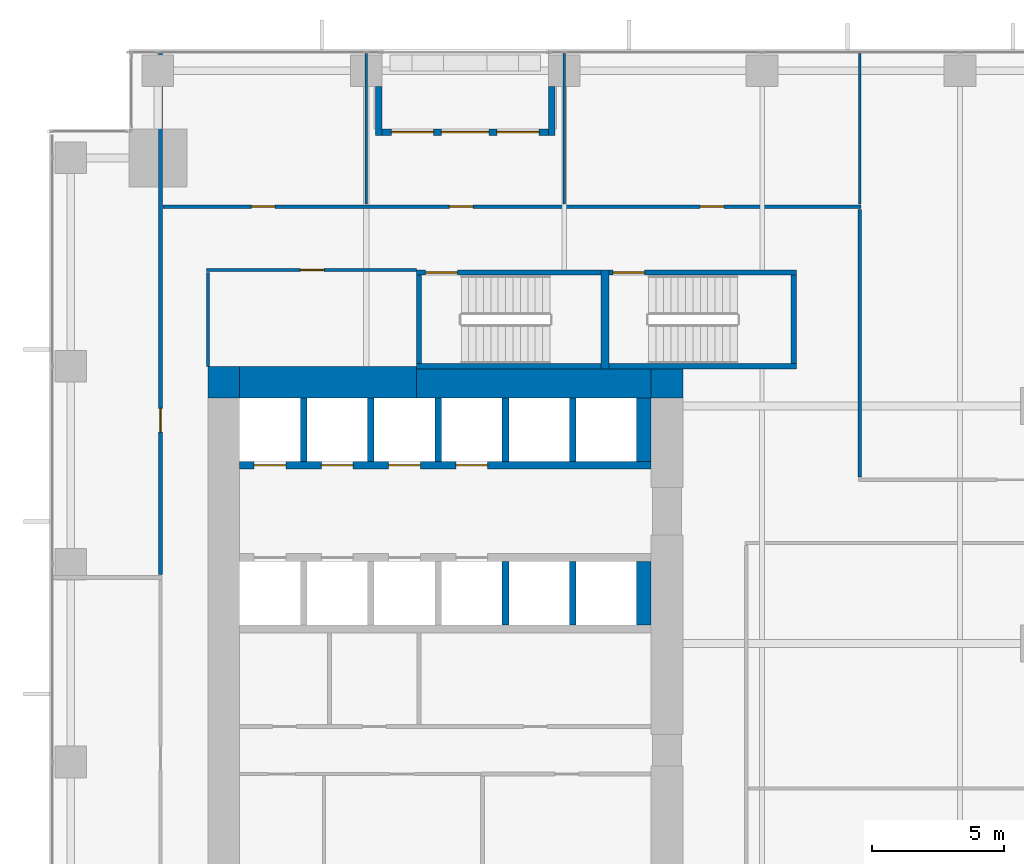
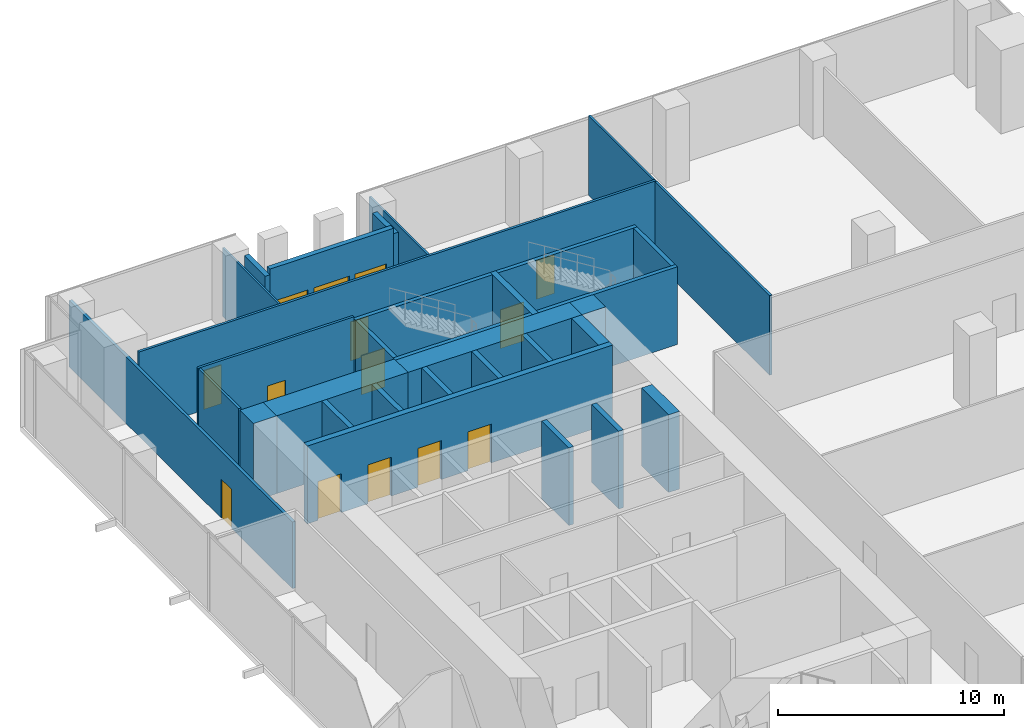
# One storey, part 28 of 32: 32 walls, 12 doors, 2 windows, 14 openings.
"""IFC4 building model written with IfcOpenShell, lengths in metres."""

from ifc_helpers import new_model, si_unit, direction, frame, frame_2d, origin, place, context, subcontext, project, spatial, rectangle, extrude, source, transform, mapped, material, layer, layer_set, type_object, element, fill, save


model = new_model("IFC4")

# Units and contexts
model_context = context("Model", 3, precision=1e-05, world=origin(), true_north=direction((0.0, 1.0)))
body_context = subcontext(model_context, "Body", "Model", "MODEL_VIEW")
ifc_project = project(units=[si_unit("LENGTHUNIT", "METRE"), si_unit("AREAUNIT", "SQUARE_METRE"), si_unit("VOLUMEUNIT", "CUBIC_METRE"), si_unit("PLANEANGLEUNIT", "RADIAN"), si_unit("MASSUNIT", "GRAM", prefix="KILO")], contexts=[model_context])

# Site, building, storey
site_placement = place(None, origin())
site = spatial("IfcSite", under=ifc_project, at=site_placement, CompositionType="ELEMENT")
building_placement = place(site_placement, origin())
building = spatial("IfcBuilding", under=site, at=building_placement, Name="Khomas Fold Tower", CompositionType="ELEMENT")
storey_placement = place(building_placement, frame((0.0, 0.0, 37.5)))
storey = spatial("IfcBuildingStorey", under=building, at=storey_placement, Name="L07", CompositionType="ELEMENT", Elevation=37.5)

# Walls
ifc_material_1 = material(Name="Concrete C70/85", Category="concrete")
ifc_layer_1 = layer(ifc_material_1, 1.199951171875)
ifc_layer_set_1 = layer_set([ifc_layer_1], Name="Concrete C70/85")
wall_type_1 = type_object("IfcWallType", Name="Core wall 1200", PredefinedType="SHEAR", material=ifc_layer_set_1)
shared_shape_1 = source(origin(), body_context, "Body", "SweptSolid", [
    extrude(rectangle(XDim=6.699951171875, YDim=1.199951171875, at=frame_2d((3.35009765625, 0.0))), origin(), (0.0, 0.0, 1.0), 4.199951171875),
])
wall_1_placement = place(storey_placement, frame((7.199951171875, 41.39990234375, 0.0), z_axis=(0.0, 0.0, 1.0), x_axis=(1.0, 0.0, 0.0)))
element("IfcWall", 1, at=wall_1_placement, inside=storey, type_object=wall_type_1, Name="Core wall CW-L-N-B2", PredefinedType="SHEAR", context=body_context, shape_type="MappedRepresentation", body=[
    mapped(shared_shape_1, transform((0.0, 0.0, 0.0))),
])
ifc_material_2 = material(Name="Concrete C70/85", Category="concrete")
ifc_layer_2 = layer(ifc_material_2, 1.10009765625)
ifc_layer_set_2 = layer_set([ifc_layer_2], Name="Concrete C70/85")
wall_type_2 = type_object("IfcWallType", Name="Core wall 1100", PredefinedType="SHEAR", material=ifc_layer_set_2)
shared_shape_2 = source(origin(), body_context, "Body", "SweptSolid", [
    extrude(rectangle(XDim=8.900146484375, YDim=1.10009765625, at=frame_2d((4.4501953125, 0.0))), origin(), (0.0, 0.0, 1.0), 4.199951171875),
])
wall_2_placement = place(storey_placement, frame((13.89990234375, 41.35009765625, 0.0), z_axis=(0.0, 0.0, 1.0), x_axis=(1.0, 0.0, 0.0)))
element("IfcWall", 2, at=wall_2_placement, inside=storey, type_object=wall_type_2, Name="Core wall CW-L-N-B2-1", PredefinedType="SHEAR", context=body_context, shape_type="MappedRepresentation", body=[
    mapped(shared_shape_2, transform((0.0, 0.0, 0.0))),
])
ifc_material_3 = material(Name="Concrete C70/85", Category="concrete")
ifc_layer_3 = layer(ifc_material_3, 1.10009765625)
ifc_layer_set_3 = layer_set([ifc_layer_3], Name="Concrete C70/85")
wall_type_3 = type_object("IfcWallType", Name="Core corner wall 1100", PredefinedType="SHEAR", material=ifc_layer_set_3)
shared_shape_3 = source(origin(), body_context, "Body", "SweptSolid", [
    extrude(rectangle(XDim=1.199951171875, YDim=1.10009765625, at=frame_2d((0.60009765625, 0.0))), origin(), (0.0, 0.0, 1.0), 4.199951171875),
])
wall_3_placement = place(storey_placement, frame((22.800048828125, 41.35009765625, 0.0), z_axis=(0.0, 0.0, 1.0), x_axis=(1.0, 0.0, 0.0)))
element("IfcWall", 3, at=wall_3_placement, inside=storey, type_object=wall_type_3, Name="Core wall CW-L-NE-B2", PredefinedType="SHEAR", context=body_context, shape_type="MappedRepresentation", body=[
    mapped(shared_shape_3, transform((0.0, 0.0, 0.0))),
])
ifc_material_4 = material(Name="Concrete C70/85", Category="concrete")
ifc_layer_4 = layer(ifc_material_4, 1.199951171875)
ifc_layer_set_4 = layer_set([ifc_layer_4], Name="Concrete C70/85")
wall_type_4 = type_object("IfcWallType", Name="Core corner wall 1200", PredefinedType="SHEAR", material=ifc_layer_set_4)
shared_shape_4 = source(origin(), body_context, "Body", "SweptSolid", [
    extrude(rectangle(XDim=1.199951171875, YDim=1.199951171875, at=frame_2d((0.60009765625, 0.0))), origin(), (0.0, 0.0, 1.0), 4.199951171875),
])
wall_4_placement = place(storey_placement, frame((6.0, 41.39990234375, 0.0), z_axis=(0.0, 0.0, 1.0), x_axis=(1.0, 0.0, 0.0)))
element("IfcWall", 4, at=wall_4_placement, inside=storey, type_object=wall_type_4, Name="Core wall CW-L-NW-B2", PredefinedType="SHEAR", context=body_context, shape_type="MappedRepresentation", body=[
    mapped(shared_shape_4, transform((0.0, 0.0, 0.0))),
])

# Wall, opening, door
ifc_material_5 = material(Name="Concrete C50/60", Category="concrete")
ifc_layer_5 = layer(ifc_material_5, 0.199951171875)
ifc_layer_set_5 = layer_set([ifc_layer_5], Name="Concrete C50/60")
wall_type_5 = type_object("IfcWallType", Name="Stair wall 200", PredefinedType="SHEAR", material=ifc_layer_set_5)
shared_shape_5 = source(origin(), body_context, "Body", "SweptSolid", [
    extrude(rectangle(XDim=7.0, YDim=0.199951171875, at=frame_2d((3.5, 0.0))), origin(), (0.0, 0.0, 1.0), 4.199951171875),
])
wall_5_placement = place(storey_placement, frame((13.89990234375, 45.550048828125, 0.0), z_axis=(0.0, 0.0, 1.0), x_axis=(1.0, 0.0, 0.0)))
wall_5 = element("IfcWall", 5, at=wall_5_placement, inside=storey, type_object=wall_type_5, Name="Stair wall SW-ST1-N", PredefinedType="SHEAR", context=body_context, shape_type="MappedRepresentation", body=[
    mapped(shared_shape_5, transform((0.0, 0.0, 0.0))),
])
shared_shape_6 = source(origin(), body_context, "Body", "SweptSolid", [
    extrude(rectangle(XDim=1.199951171875, YDim=2.10009765625, at=frame_2d((0.60009765625, 1.050048828125))), frame((0.0, 0.10986328125, 0.0), z_axis=(0.0, -1.0, 0.0), x_axis=(1.0, 0.0, 0.0)), (0.0, 0.0, 1.0), 0.219970703125),
])
opening_1_placement = place(wall_5_placement, frame((0.35009765625, 0.0, 0.0)))
opening_1 = element("IfcOpeningElement", 6, at=opening_1_placement, cuts=wall_5, Name="Opening SD-ST1", PredefinedType="OPENING", context=body_context, shape_type="MappedRepresentation", body=[
    mapped(shared_shape_6, transform((0.0, 0.0, 0.0))),
])
ifc_material_6 = material(Name="Steel door leaf", Category="steel")
door_type_1 = type_object("IfcDoorType", Name="Stair door 1200x2100 left-hand", OperationType="SINGLE_SWING_LEFT", PredefinedType="DOOR", material=ifc_material_6)
shared_shape_7 = source(origin(), body_context, "Body", "SweptSolid", [
    extrude(rectangle(XDim=1.199951171875, YDim=2.10009765625, at=frame_2d((0.60009765625, 1.050048828125))), frame((0.0, 0.02490234375, 0.0), z_axis=(0.0, -1.0, 0.0), x_axis=(1.0, 0.0, 0.0)), (0.0, 0.0, 1.0), 0.050048828125),
])
door_1_placement = place(opening_1_placement, origin())
door_1 = element("IfcDoor", 7, at=door_1_placement, inside=storey, type_object=door_type_1, Name="Stair door", OperationType="SINGLE_SWING_LEFT", OverallHeight=2.10009765625, OverallWidth=1.199951171875, PredefinedType="DOOR", context=body_context, shape_type="MappedRepresentation", body=[
    mapped(shared_shape_7, transform((0.0, 0.0, 0.0))),
])
fill(opening_1, door_1)

# Wall
wall_6_placement = place(storey_placement, frame((13.89990234375, 42.0, 0.0), z_axis=(0.0, 0.0, 1.0), x_axis=(1.0, 0.0, 0.0)))
element("IfcWall", 8, at=wall_6_placement, inside=storey, type_object=wall_type_5, Name="Stair wall SW-ST1-S", PredefinedType="SHEAR", context=body_context, shape_type="MappedRepresentation", body=[
    mapped(shared_shape_5, transform((0.0, 0.0, 0.0))),
])

# Wall, opening, door
shared_shape_8 = source(origin(), body_context, "Body", "SweptSolid", [
    extrude(rectangle(XDim=7.10009765625, YDim=0.199951171875, at=frame_2d((3.550048828125, 0.0))), origin(), (0.0, 0.0, 1.0), 4.199951171875),
])
wall_7_placement = place(storey_placement, frame((21.199951171875, 45.550048828125, 0.0), z_axis=(0.0, 0.0, 1.0), x_axis=(1.0, 0.0, 0.0)))
wall_7 = element("IfcWall", 9, at=wall_7_placement, inside=storey, type_object=wall_type_5, Name="Stair wall SW-ST3-N", PredefinedType="SHEAR", context=body_context, shape_type="MappedRepresentation", body=[
    mapped(shared_shape_8, transform((0.0, 0.0, 0.0))),
])
opening_2_placement = place(wall_7_placement, frame((0.14990234375, 0.0, 0.0)))
opening_2 = element("IfcOpeningElement", 10, at=opening_2_placement, cuts=wall_7, Name="Opening SD-ST3", PredefinedType="OPENING", context=body_context, shape_type="MappedRepresentation", body=[
    mapped(shared_shape_6, transform((0.0, 0.0, 0.0))),
])
door_2_placement = place(opening_2_placement, origin())
door_2 = element("IfcDoor", 11, at=door_2_placement, inside=storey, type_object=door_type_1, Name="Stair door", OperationType="SINGLE_SWING_LEFT", OverallHeight=2.10009765625, OverallWidth=1.199951171875, PredefinedType="DOOR", context=body_context, shape_type="MappedRepresentation", body=[
    mapped(shared_shape_7, transform((0.0, 0.0, 0.0))),
])
fill(opening_2, door_2)

# Walls
wall_8_placement = place(storey_placement, frame((21.199951171875, 42.0, 0.0), z_axis=(0.0, 0.0, 1.0), x_axis=(1.0, 0.0, 0.0)))
element("IfcWall", 12, at=wall_8_placement, inside=storey, type_object=wall_type_5, Name="Stair wall SW-ST3-S", PredefinedType="SHEAR", context=body_context, shape_type="MappedRepresentation", body=[
    mapped(shared_shape_8, transform((0.0, 0.0, 0.0))),
])
ifc_material_7 = material(Name="Concrete C50/60", Category="concrete")
ifc_layer_6 = layer(ifc_material_7, 0.300048828125)
ifc_layer_set_6 = layer_set([ifc_layer_6], Name="Concrete C50/60")
wall_type_6 = type_object("IfcWallType", Name="Stair wall 300", PredefinedType="SHEAR", material=ifc_layer_set_6)
shared_shape_9 = source(origin(), body_context, "Body", "SweptSolid", [
    extrude(rectangle(XDim=3.75, YDim=0.300048828125, at=frame_2d((1.875, 0.0))), origin(), (0.0, 0.0, 1.0), 4.199951171875),
])
wall_9_placement = place(storey_placement, frame((21.050048828125, 41.89990234375, 0.0), z_axis=(0.0, 0.0, 1.0), x_axis=(0.0, 1.0, 0.0)))
element("IfcWall", 13, at=wall_9_placement, inside=storey, type_object=wall_type_6, Name="Stair wall SW-ST1-E", PredefinedType="SHEAR", context=body_context, shape_type="MappedRepresentation", body=[
    mapped(shared_shape_9, transform((0.0, 0.0, 0.0))),
])
shared_shape_10 = source(origin(), body_context, "Body", "SweptSolid", [
    extrude(rectangle(XDim=3.349853515625, YDim=0.199951171875, at=frame_2d((1.6748046875, 0.0))), origin(), (0.0, 0.0, 1.0), 4.199951171875),
])
for number, where, z_axis, x_axis, name in (
    (14, (14.0, 42.10009765625, 0.0), (0.0, 0.0, 1.0), (0.0, 1.0, 0.0), "Stair wall SW-ST1-W"),
    (15, (28.199951171875, 42.10009765625, 0.0), (0.0, 0.0, 1.0), (0.0, 1.0, 0.0), "Stair wall SW-ST3-E"),
):
    element("IfcWall", number, at=place(storey_placement, frame(where, z_axis=z_axis, x_axis=x_axis)), inside=storey, type_object=wall_type_5, Name=name, PredefinedType="SHEAR", context=body_context, shape_type="MappedRepresentation", body=[
        mapped(shared_shape_10, transform((0.0, 0.0, 0.0))),
    ])

# Wall, openings, doors
ifc_material_8 = material(Name="Concrete C50/60", Category="concrete")
ifc_layer_7 = layer(ifc_material_8, 0.300048828125)
ifc_layer_set_7 = layer_set([ifc_layer_7], Name="Concrete C50/60")
wall_type_7 = type_object("IfcWallType", Name="Shaft wall 300", PredefinedType="STANDARD", material=ifc_layer_set_7)
shared_shape_11 = source(origin(), body_context, "Body", "SweptSolid", [
    extrude(rectangle(XDim=15.60009765625, YDim=0.300048828125, at=frame_2d((7.800048828125, 0.0))), origin(), (0.0, 0.0, 1.0), 4.199951171875),
])
wall_10_placement = place(storey_placement, frame((7.199951171875, 38.25, 0.0), z_axis=(0.0, 0.0, 1.0), x_axis=(1.0, 0.0, 0.0)))
wall_10 = element("IfcWall", 16, at=wall_10_placement, inside=storey, type_object=wall_type_7, Name="Core wall SW-LRN-F", PredefinedType="STANDARD", context=body_context, shape_type="MappedRepresentation", body=[
    mapped(shared_shape_11, transform((0.0, 0.0, 0.0))),
])
shared_shape_12 = source(origin(), body_context, "Body", "SweptSolid", [
    extrude(rectangle(XDim=1.199951171875, YDim=2.10009765625, at=frame_2d((0.60009765625, 1.050048828125))), frame((0.0, 0.159912109375, 0.0), z_axis=(0.0, -1.0, 0.0), x_axis=(1.0, 0.0, 0.0)), (0.0, 0.0, 1.0), 0.320068359375),
])
opening_3_placement = place(wall_10_placement, frame((0.550048828125, 0.0, 0.0)))
opening_3 = element("IfcOpeningElement", 17, at=opening_3_placement, cuts=wall_10, Name="Opening LD-LR5", PredefinedType="OPENING", context=body_context, shape_type="MappedRepresentation", body=[
    mapped(shared_shape_12, transform((0.0, 0.0, 0.0))),
])
opening_4_placement = place(wall_10_placement, frame((3.10009765625, 0.0, 0.0)))
opening_4 = element("IfcOpeningElement", 18, at=opening_4_placement, cuts=wall_10, Name="Opening LD-LR6", PredefinedType="OPENING", context=body_context, shape_type="MappedRepresentation", body=[
    mapped(shared_shape_12, transform((0.0, 0.0, 0.0))),
])
opening_5_placement = place(wall_10_placement, frame((5.64990234375, 0.0, 0.0)))
opening_5 = element("IfcOpeningElement", 19, at=opening_5_placement, cuts=wall_10, Name="Opening LD-LR7", PredefinedType="OPENING", context=body_context, shape_type="MappedRepresentation", body=[
    mapped(shared_shape_12, transform((0.0, 0.0, 0.0))),
])
opening_6_placement = place(wall_10_placement, frame((8.199951171875, 0.0, 0.0)))
opening_6 = element("IfcOpeningElement", 20, at=opening_6_placement, cuts=wall_10, Name="Opening LD-LR8", PredefinedType="OPENING", context=body_context, shape_type="MappedRepresentation", body=[
    mapped(shared_shape_12, transform((0.0, 0.0, 0.0))),
])
ifc_material_9 = material(Name="Steel door leaf", Category="steel")
door_type_2 = type_object("IfcDoorType", Name="Landing door 1200x2100", OperationType="DOUBLE_DOOR_SLIDING", PredefinedType="DOOR", material=ifc_material_9)
door_3_placement = place(opening_3_placement, origin())
door_3 = element("IfcDoor", 21, at=door_3_placement, inside=storey, type_object=door_type_2, Name="Lift landing door", OperationType="DOUBLE_DOOR_SLIDING", OverallHeight=2.10009765625, OverallWidth=1.199951171875, PredefinedType="DOOR", context=body_context, shape_type="MappedRepresentation", body=[
    mapped(shared_shape_7, transform((0.0, 0.0, 0.0))),
])
fill(opening_3, door_3)
door_4_placement = place(opening_4_placement, origin())
door_4 = element("IfcDoor", 22, at=door_4_placement, inside=storey, type_object=door_type_2, Name="Lift landing door", OperationType="DOUBLE_DOOR_SLIDING", OverallHeight=2.10009765625, OverallWidth=1.199951171875, PredefinedType="DOOR", context=body_context, shape_type="MappedRepresentation", body=[
    mapped(shared_shape_7, transform((0.0, 0.0, 0.0))),
])
fill(opening_4, door_4)
door_5_placement = place(opening_5_placement, origin())
door_5 = element("IfcDoor", 23, at=door_5_placement, inside=storey, type_object=door_type_2, Name="Lift landing door", OperationType="DOUBLE_DOOR_SLIDING", OverallHeight=2.10009765625, OverallWidth=1.199951171875, PredefinedType="DOOR", context=body_context, shape_type="MappedRepresentation", body=[
    mapped(shared_shape_7, transform((0.0, 0.0, 0.0))),
])
fill(opening_5, door_5)
door_6_placement = place(opening_6_placement, origin())
door_6 = element("IfcDoor", 24, at=door_6_placement, inside=storey, type_object=door_type_2, Name="Lift landing door", OperationType="DOUBLE_DOOR_SLIDING", OverallHeight=2.10009765625, OverallWidth=1.199951171875, PredefinedType="DOOR", context=body_context, shape_type="MappedRepresentation", body=[
    mapped(shared_shape_7, transform((0.0, 0.0, 0.0))),
])
fill(opening_6, door_6)

# Walls
ifc_material_10 = material(Name="Concrete C50/60", Category="concrete")
ifc_layer_8 = layer(ifc_material_10, 0.25)
ifc_layer_set_8 = layer_set([ifc_layer_8], Name="Concrete C50/60")
wall_type_8 = type_object("IfcWallType", Name="Shaft wall 250", PredefinedType="STANDARD", material=ifc_layer_set_8)
shared_shape_13 = source(origin(), body_context, "Body", "SweptSolid", [
    extrude(rectangle(XDim=2.400146484375, YDim=0.25, at=frame_2d((1.2001953125, 0.0))), origin(), (0.0, 0.0, 1.0), 4.199951171875),
])
for number, where, z_axis, x_axis, name in (
    (25, (9.625, 38.39990234375, 0.0), (0.0, 0.0, 1.0), (0.0, 1.0, 0.0), "Core wall SW-LRN-P1"),
    (26, (12.175048828125, 38.39990234375, 0.0), (0.0, 0.0, 1.0), (0.0, 1.0, 0.0), "Core wall SW-LRN-P2"),
    (27, (14.72509765625, 38.39990234375, 0.0), (0.0, 0.0, 1.0), (0.0, 1.0, 0.0), "Core wall SW-LRN-P3"),
    (28, (17.27490234375, 38.39990234375, 0.0), (0.0, 0.0, 1.0), (0.0, 1.0, 0.0), "Core wall SW-LRN-P4"),
    (29, (19.824951171875, 38.39990234375, 0.0), (0.0, 0.0, 1.0), (0.0, 1.0, 0.0), "Core wall SW-LRN-P5"),
    (30, (17.27490234375, 32.199951171875, 0.0), (0.0, 0.0, 1.0), (0.0, 1.0, 0.0), "Core wall SW-LRS-P4"),
    (31, (19.824951171875, 32.199951171875, 0.0), (0.0, 0.0, 1.0), (0.0, 1.0, 0.0), "Core wall SW-LRS-P5"),
):
    element("IfcWall", number, at=place(storey_placement, frame(where, z_axis=z_axis, x_axis=x_axis)), inside=storey, type_object=wall_type_8, Name=name, PredefinedType="STANDARD", context=body_context, shape_type="MappedRepresentation", body=[
        mapped(shared_shape_13, transform((0.0, 0.0, 0.0))),
    ])
ifc_material_11 = material(Name="Concrete C50/60", Category="concrete")
ifc_layer_9 = layer(ifc_material_11, 0.550048828125)
ifc_layer_set_9 = layer_set([ifc_layer_9], Name="Concrete C50/60")
wall_type_9 = type_object("IfcWallType", Name="Shaft wall 550", PredefinedType="STANDARD", material=ifc_layer_set_9)
shared_shape_14 = source(origin(), body_context, "Body", "SweptSolid", [
    extrude(rectangle(XDim=2.400146484375, YDim=0.550048828125, at=frame_2d((1.2001953125, 0.0))), origin(), (0.0, 0.0, 1.0), 4.199951171875),
])
for number, where, z_axis, x_axis, name in (
    (32, (22.52490234375, 38.39990234375, 0.0), (0.0, 0.0, 1.0), (0.0, 1.0, 0.0), "Core wall SW-LRN-PE"),
    (33, (22.52490234375, 32.199951171875, 0.0), (0.0, 0.0, 1.0), (0.0, 1.0, 0.0), "Core wall SW-LRS-PE"),
):
    element("IfcWall", number, at=place(storey_placement, frame(where, z_axis=z_axis, x_axis=x_axis)), inside=storey, type_object=wall_type_9, Name=name, PredefinedType="STANDARD", context=body_context, shape_type="MappedRepresentation", body=[
        mapped(shared_shape_14, transform((0.0, 0.0, 0.0))),
    ])
ifc_material_12 = material(Name="Natural stone", Category="masonry")
ifc_layer_10 = layer(ifc_material_12, 0.0400390625)
ifc_material_13 = material(Name="Mineral wool insulation", Category="insulation")
ifc_layer_11 = layer(ifc_material_13, 0.10009765625)
ifc_material_14 = material(Name="Masonry", Category="masonry")
ifc_layer_12 = layer(ifc_material_14, 0.110107421875)
ifc_layer_set_10 = layer_set([ifc_layer_10, ifc_layer_11, ifc_layer_12], Name="Stone-faced insulated masonry")
wall_type_10 = type_object("IfcWallType", Name="BL-Balcony wall", PredefinedType="SOLIDWALL", material=ifc_layer_set_10)
shared_shape_15 = source(origin(), body_context, "Body", "SweptSolid", [
    extrude(rectangle(XDim=1.85009765625, YDim=0.25, at=frame_2d((0.925048828125, 0.0))), origin(), (0.0, 0.0, 1.0), 3.89990234375),
])
for number, where, z_axis, x_axis, name in (
    (34, (12.47509765625, 52.60009765625, 0.0), (0.0, 0.0, 1.0), (0.0, -1.0, 0.0), "Balcony return wall BAL-L07-N1-lo"),
    (35, (19.02490234375, 52.60009765625, 0.0), (0.0, 0.0, 1.0), (0.0, -1.0, 0.0), "Balcony return wall BAL-L07-N1-hi"),
):
    element("IfcWall", number, at=place(storey_placement, frame(where, z_axis=z_axis, x_axis=x_axis)), inside=storey, type_object=wall_type_10, Name=name, PredefinedType="SOLIDWALL", context=body_context, shape_type="MappedRepresentation", body=[
        mapped(shared_shape_15, transform((0.0, 0.0, 0.0))),
    ])

# Wall, openings, windows, door
shared_shape_16 = source(origin(), body_context, "Body", "SweptSolid", [
    extrude(rectangle(XDim=6.2998046875, YDim=0.25, at=frame_2d((3.14990234375, 0.0))), origin(), (0.0, 0.0, 1.0), 4.199951171875),
])
wall_11_placement = place(storey_placement, frame((12.60009765625, 50.875, 0.0), z_axis=(0.0, 0.0, 1.0), x_axis=(1.0, 0.0, 0.0)))
wall_11 = element("IfcWall", 36, at=wall_11_placement, inside=storey, type_object=wall_type_10, Name="Balcony wall BAL-L07-N1", PredefinedType="SOLIDWALL", context=body_context, shape_type="MappedRepresentation", body=[
    mapped(shared_shape_16, transform((0.0, 0.0, 0.0))),
])
shared_shape_17 = source(origin(), body_context, "Body", "SweptSolid", [
    extrude(rectangle(XDim=1.60009765625, YDim=2.39990234375, at=frame_2d((0.800048828125, 1.199951171875))), frame((0.0, 0.135009765625, 0.0), z_axis=(0.0, -1.0, 0.0), x_axis=(1.0, 0.0, 0.0)), (0.0, 0.0, 1.0), 0.27001953125),
])
opening_7_placement = place(wall_11_placement, frame((0.35009765625, 0.0, 0.0)))
opening_7 = element("IfcOpeningElement", 37, at=opening_7_placement, cuts=wall_11, Name="Opening BL-W1", PredefinedType="OPENING", context=body_context, shape_type="MappedRepresentation", body=[
    mapped(shared_shape_17, transform((0.0, 0.0, 0.0))),
])
opening_8_placement = place(wall_11_placement, frame((4.35009765625, 0.0, 0.0)))
opening_8 = element("IfcOpeningElement", 38, at=opening_8_placement, cuts=wall_11, Name="Opening BL-W1", PredefinedType="OPENING", context=body_context, shape_type="MappedRepresentation", body=[
    mapped(shared_shape_17, transform((0.0, 0.0, 0.0))),
])
shared_shape_18 = source(origin(), body_context, "Body", "SweptSolid", [
    extrude(rectangle(XDim=1.800048828125, YDim=2.39990234375, at=frame_2d((0.89990234375, 1.199951171875))), frame((0.0, 0.135009765625, 0.0), z_axis=(0.0, -1.0, 0.0), x_axis=(1.0, 0.0, 0.0)), (0.0, 0.0, 1.0), 0.27001953125),
])
opening_9_placement = place(wall_11_placement, frame((2.25, 0.0, 0.0)))
opening_9 = element("IfcOpeningElement", 39, at=opening_9_placement, cuts=wall_11, Name="Opening BD071", PredefinedType="OPENING", context=body_context, shape_type="MappedRepresentation", body=[
    mapped(shared_shape_18, transform((0.0, 0.0, 0.0))),
])
ifc_material_15 = material(Name="Aluminium framed double glazing", Category="aluminium")
window_type = type_object("IfcWindowType", Name="BL-Fixed glazing 1600 x 2400", PartitioningType="SINGLE_PANEL", PredefinedType="WINDOW", material=ifc_material_15)
shared_shape_19 = source(origin(), body_context, "Body", "SweptSolid", [
    extrude(rectangle(XDim=1.60009765625, YDim=2.39990234375, at=frame_2d((0.800048828125, 1.199951171875))), frame((0.0, 0.030029296875, 0.0), z_axis=(0.0, -1.0, 0.0), x_axis=(1.0, 0.0, 0.0)), (0.0, 0.0, 1.0), 0.06005859375),
])
window_1_placement = place(opening_7_placement, origin())
window_1 = element("IfcWindow", 40, at=window_1_placement, inside=storey, type_object=window_type, Name="Balcony glazing BAL-L07-N1-1", OverallHeight=2.39990234375, OverallWidth=1.60009765625, PartitioningType="SINGLE_PANEL", PredefinedType="WINDOW", context=body_context, shape_type="MappedRepresentation", body=[
    mapped(shared_shape_19, transform((0.0, 0.0, 0.0))),
])
fill(opening_7, window_1)
window_2_placement = place(opening_8_placement, origin())
window_2 = element("IfcWindow", 41, at=window_2_placement, inside=storey, type_object=window_type, Name="Balcony glazing BAL-L07-N1-2", OverallHeight=2.39990234375, OverallWidth=1.60009765625, PartitioningType="SINGLE_PANEL", PredefinedType="WINDOW", context=body_context, shape_type="MappedRepresentation", body=[
    mapped(shared_shape_19, transform((0.0, 0.0, 0.0))),
])
fill(opening_8, window_2)
ifc_material_16 = material(Name="Aluminium framed double glazing", Category="aluminium")
door_type_3 = type_object("IfcDoorType", Name="BL-Glazed balcony door 1800 x 2400", OperationType="DOUBLE_DOOR_DOUBLE_SWING", PredefinedType="DOOR", material=ifc_material_16)
shared_shape_20 = source(origin(), body_context, "Body", "SweptSolid", [
    extrude(rectangle(XDim=1.800048828125, YDim=2.39990234375, at=frame_2d((0.89990234375, 1.199951171875))), frame((0.0, 0.02490234375, 0.0), z_axis=(0.0, -1.0, 0.0), x_axis=(1.0, 0.0, 0.0)), (0.0, 0.0, 1.0), 0.050048828125),
])
door_7_placement = place(opening_9_placement, origin())
door_7 = element("IfcDoor", 42, at=door_7_placement, inside=storey, type_object=door_type_3, Name="Balcony door BD071", OperationType="DOUBLE_DOOR_DOUBLE_SWING", OverallHeight=2.39990234375, OverallWidth=1.800048828125, PredefinedType="DOOR", context=body_context, shape_type="MappedRepresentation", body=[
    mapped(shared_shape_20, transform((0.0, 0.0, 0.0))),
])
fill(opening_9, door_7)

# Wall, opening, door
ifc_material_17 = material(Name="Plasterboard fire partition")
ifc_layer_13 = layer(ifc_material_17, 0.14990234375)
ifc_layer_set_11 = layer_set([ifc_layer_13], Name="Plasterboard fire partition")
wall_type_11 = type_object("IfcWallType", Name="Plant room wall PW3 150", PredefinedType="PARTITIONING", material=ifc_layer_set_11)
shared_shape_21 = source(origin(), body_context, "Body", "SweptSolid", [
    extrude(rectangle(XDim=19.75, YDim=0.14990234375, at=frame_2d((9.875, 0.0))), origin(), (0.0, 0.0, 1.0), 3.60009765625),
])
wall_12_placement = place(storey_placement, frame((4.199951171875, 34.10009765625, 0.0), z_axis=(0.0, 0.0, 1.0), x_axis=(0.0, 1.0, 0.0)))
wall_12 = element("IfcWall", 43, at=wall_12_placement, inside=storey, type_object=wall_type_11, Name="Plant room wall", PredefinedType="PARTITIONING", context=body_context, shape_type="MappedRepresentation", body=[
    mapped(shared_shape_21, transform((0.0, 0.0, 0.0))),
])
shared_shape_22 = source(origin(), body_context, "Body", "SweptSolid", [
    extrude(rectangle(XDim=0.89990234375, YDim=2.10009765625, at=frame_2d((0.449951171875, 1.050048828125))), frame((0.0, 0.0849609375, 0.0), z_axis=(0.0, -1.0, 0.0), x_axis=(1.0, 0.0, 0.0)), (0.0, 0.0, 1.0), 0.169921875),
])
opening_10_placement = place(wall_12_placement, frame((5.39990234375, 0.0, 0.0)))
opening_10 = element("IfcOpeningElement", 44, at=opening_10_placement, cuts=wall_12, Name="Opening 0002", PredefinedType="OPENING", context=body_context, shape_type="MappedRepresentation", body=[
    mapped(shared_shape_22, transform((0.0, 0.0, 0.0))),
])
ifc_material_18 = material(Name="Steel door leaf", Category="steel")
door_type_4 = type_object("IfcDoorType", Name="Plant room door 900x2100 left-hand", OperationType="SINGLE_SWING_LEFT", PredefinedType="DOOR", material=ifc_material_18)
shared_shape_23 = source(origin(), body_context, "Body", "SweptSolid", [
    extrude(rectangle(XDim=0.89990234375, YDim=2.10009765625, at=frame_2d((0.449951171875, 1.050048828125))), frame((0.0, 0.02490234375, 0.0), z_axis=(0.0, -1.0, 0.0), x_axis=(1.0, 0.0, 0.0)), (0.0, 0.0, 1.0), 0.050048828125),
])
door_8_placement = place(opening_10_placement, origin())
door_8 = element("IfcDoor", 45, at=door_8_placement, inside=storey, type_object=door_type_4, Name="Plant room door", OperationType="SINGLE_SWING_LEFT", OverallHeight=2.10009765625, OverallWidth=0.89990234375, PredefinedType="DOOR", context=body_context, shape_type="MappedRepresentation", body=[
    mapped(shared_shape_23, transform((0.0, 0.0, 0.0))),
])
fill(opening_10, door_8)

# Walls
ifc_material_19 = material(Name="Plasterboard partition")
ifc_layer_14 = layer(ifc_material_19, 0.125)
ifc_layer_set_12 = layer_set([ifc_layer_14], Name="Plasterboard partition")
wall_type_12 = type_object("IfcWallType", Name="Partition PW2 125", PredefinedType="PARTITIONING", material=ifc_layer_set_12)
shared_shape_24 = source(origin(), body_context, "Body", "SweptSolid", [
    extrude(rectangle(XDim=10.14990234375, YDim=0.125, at=frame_2d((5.074951171875, 0.0))), origin(), (0.0, 0.0, 1.0), 4.300048828125),
])
wall_13_placement = place(storey_placement, frame((30.699951171875, 37.800048828125, 0.0), z_axis=(0.0, 0.0, 1.0), x_axis=(0.0, 1.0, 0.0)))
element("IfcWall", 46, at=wall_13_placement, inside=storey, type_object=wall_type_12, Name="Partition", PredefinedType="PARTITIONING", context=body_context, shape_type="MappedRepresentation", body=[
    mapped(shared_shape_24, transform((0.0, 0.0, 0.0))),
])
shared_shape_25 = source(origin(), body_context, "Body", "SweptSolid", [
    extrude(rectangle(XDim=3.550048828125, YDim=0.125, at=frame_2d((1.77490234375, 0.0))), origin(), (0.0, 0.0, 1.0), 4.300048828125),
])
wall_14_placement = place(storey_placement, frame((6.0, 42.0, 0.0), z_axis=(0.0, 0.0, 1.0), x_axis=(0.0, 1.0, 0.0)))
element("IfcWall", 47, at=wall_14_placement, inside=storey, type_object=wall_type_12, Name="Partition", PredefinedType="PARTITIONING", context=body_context, shape_type="MappedRepresentation", body=[
    mapped(shared_shape_25, transform((0.0, 0.0, 0.0))),
])

# Wall, opening, door
shared_shape_26 = source(origin(), body_context, "Body", "SweptSolid", [
    extrude(rectangle(XDim=7.949951171875, YDim=0.125, at=frame_2d((3.97509765625, 0.0))), origin(), (0.0, 0.0, 1.0), 4.300048828125),
])
wall_15_placement = place(storey_placement, frame((5.949951171875, 45.64990234375, 0.0), z_axis=(0.0, 0.0, 1.0), x_axis=(1.0, 0.0, 0.0)))
wall_15 = element("IfcWall", 48, at=wall_15_placement, inside=storey, type_object=wall_type_12, Name="Partition", PredefinedType="PARTITIONING", context=body_context, shape_type="MappedRepresentation", body=[
    mapped(shared_shape_26, transform((0.0, 0.0, 0.0))),
])
shared_shape_27 = source(origin(), body_context, "Body", "SweptSolid", [
    extrude(rectangle(XDim=0.89990234375, YDim=2.10009765625, at=frame_2d((0.449951171875, 1.050048828125))), frame((0.0, 0.072509765625, 0.0), z_axis=(0.0, -1.0, 0.0), x_axis=(1.0, 0.0, 0.0)), (0.0, 0.0, 1.0), 0.14501953125),
])
opening_11_placement = place(wall_15_placement, frame((3.550048828125, 0.0, 0.0)))
opening_11 = element("IfcOpeningElement", 49, at=opening_11_placement, cuts=wall_15, Name="Opening 0008", PredefinedType="OPENING", context=body_context, shape_type="MappedRepresentation", body=[
    mapped(shared_shape_27, transform((0.0, 0.0, 0.0))),
])
ifc_material_20 = material(Name="Timber door leaf", Category="wood")
door_type_5 = type_object("IfcDoorType", Name="Door 900x2100 right-hand", OperationType="SINGLE_SWING_RIGHT", PredefinedType="DOOR", material=ifc_material_20)
door_9_placement = place(opening_11_placement, origin())
door_9 = element("IfcDoor", 50, at=door_9_placement, inside=storey, type_object=door_type_5, Name="Door", OperationType="SINGLE_SWING_RIGHT", OverallHeight=2.10009765625, OverallWidth=0.89990234375, PredefinedType="DOOR", context=body_context, shape_type="MappedRepresentation", body=[
    mapped(shared_shape_23, transform((0.0, 0.0, 0.0))),
])
fill(opening_11, door_9)

# Wall, openings, doors
shared_shape_28 = source(origin(), body_context, "Body", "SweptSolid", [
    extrude(rectangle(XDim=26.449951171875, YDim=0.125, at=frame_2d((13.22509765625, 0.0))), origin(), (0.0, 0.0, 1.0), 4.300048828125),
])
wall_16_placement = place(storey_placement, frame((4.300048828125, 48.050048828125, 0.0), z_axis=(0.0, 0.0, 1.0), x_axis=(1.0, 0.0, 0.0)))
wall_16 = element("IfcWall", 51, at=wall_16_placement, inside=storey, type_object=wall_type_12, Name="Partition", PredefinedType="PARTITIONING", context=body_context, shape_type="MappedRepresentation", body=[
    mapped(shared_shape_28, transform((0.0, 0.0, 0.0))),
])
opening_12_placement = place(wall_16_placement, frame((3.35009765625, 0.0, 0.0)))
opening_12 = element("IfcOpeningElement", 52, at=opening_12_placement, cuts=wall_16, Name="Opening 0008", PredefinedType="OPENING", context=body_context, shape_type="MappedRepresentation", body=[
    mapped(shared_shape_27, transform((0.0, 0.0, 0.0))),
])
opening_13_placement = place(wall_16_placement, frame((10.85009765625, 0.0, 0.0)))
opening_13 = element("IfcOpeningElement", 53, at=opening_13_placement, cuts=wall_16, Name="Opening 0008", PredefinedType="OPENING", context=body_context, shape_type="MappedRepresentation", body=[
    mapped(shared_shape_27, transform((0.0, 0.0, 0.0))),
])
opening_14_placement = place(wall_16_placement, frame((20.35009765625, 0.0, 0.0)))
opening_14 = element("IfcOpeningElement", 54, at=opening_14_placement, cuts=wall_16, Name="Opening 0008", PredefinedType="OPENING", context=body_context, shape_type="MappedRepresentation", body=[
    mapped(shared_shape_27, transform((0.0, 0.0, 0.0))),
])
door_10_placement = place(opening_12_placement, origin())
door_10 = element("IfcDoor", 55, at=door_10_placement, inside=storey, type_object=door_type_5, Name="Door", OperationType="SINGLE_SWING_RIGHT", OverallHeight=2.10009765625, OverallWidth=0.89990234375, PredefinedType="DOOR", context=body_context, shape_type="MappedRepresentation", body=[
    mapped(shared_shape_23, transform((0.0, 0.0, 0.0))),
])
fill(opening_12, door_10)
door_11_placement = place(opening_13_placement, origin())
door_11 = element("IfcDoor", 56, at=door_11_placement, inside=storey, type_object=door_type_5, Name="Door", OperationType="SINGLE_SWING_RIGHT", OverallHeight=2.10009765625, OverallWidth=0.89990234375, PredefinedType="DOOR", context=body_context, shape_type="MappedRepresentation", body=[
    mapped(shared_shape_23, transform((0.0, 0.0, 0.0))),
])
fill(opening_13, door_11)
door_12_placement = place(opening_14_placement, origin())
door_12 = element("IfcDoor", 57, at=door_12_placement, inside=storey, type_object=door_type_5, Name="Door", OperationType="SINGLE_SWING_RIGHT", OverallHeight=2.10009765625, OverallWidth=0.89990234375, PredefinedType="DOOR", context=body_context, shape_type="MappedRepresentation", body=[
    mapped(shared_shape_23, transform((0.0, 0.0, 0.0))),
])
fill(opening_14, door_12)

# Walls
ifc_material_21 = material(Name="Plasterboard partition")
ifc_layer_15 = layer(ifc_material_21, 0.10009765625)
ifc_layer_set_13 = layer_set([ifc_layer_15], Name="Plasterboard partition")
wall_type_13 = type_object("IfcWallType", Name="Partition PW1 100", PredefinedType="PARTITIONING", material=ifc_layer_set_13)
shared_shape_29 = source(origin(), body_context, "Body", "SweptSolid", [
    extrude(rectangle(XDim=5.7001953125, YDim=0.10009765625, at=frame_2d((2.85009765625, 0.0))), origin(), (0.0, 0.0, 1.0), 3.699951171875),
])
wall_17_placement = place(storey_placement, frame((12.0, 48.14990234375, 0.0), z_axis=(0.0, 0.0, 1.0), x_axis=(0.0, 1.0, 0.0)))
element("IfcWall", 58, at=wall_17_placement, inside=storey, type_object=wall_type_13, Name="Partition", PredefinedType="PARTITIONING", context=body_context, shape_type="MappedRepresentation", body=[
    mapped(shared_shape_29, transform((0.0, 0.0, 0.0))),
])
shared_shape_30 = source(origin(), body_context, "Body", "SweptSolid", [
    extrude(rectangle(XDim=5.7001953125, YDim=0.10009765625, at=frame_2d((2.85009765625, 0.0))), origin(), (0.0, 0.0, 1.0), 3.840087890625),
])
wall_18_placement = place(storey_placement, frame((19.5, 48.14990234375, 0.0), z_axis=(0.0, 0.0, 1.0), x_axis=(0.0, 1.0, 0.0)))
element("IfcWall", 59, at=wall_18_placement, inside=storey, type_object=wall_type_13, Name="Partition", PredefinedType="PARTITIONING", context=body_context, shape_type="MappedRepresentation", body=[
    mapped(shared_shape_30, transform((0.0, 0.0, 0.0))),
])
shared_shape_31 = source(origin(), body_context, "Body", "SweptSolid", [
    extrude(rectangle(XDim=5.7001953125, YDim=0.10009765625, at=frame_2d((2.85009765625, 0.0))), origin(), (0.0, 0.0, 1.0), 4.300048828125),
])
wall_19_placement = place(storey_placement, frame((30.699951171875, 48.14990234375, 0.0), z_axis=(0.0, 0.0, 1.0), x_axis=(0.0, 1.0, 0.0)))
element("IfcWall", 60, at=wall_19_placement, inside=storey, type_object=wall_type_13, Name="Partition", PredefinedType="PARTITIONING", context=body_context, shape_type="MappedRepresentation", body=[
    mapped(shared_shape_31, transform((0.0, 0.0, 0.0))),
])

save(model, "model.ifc")
